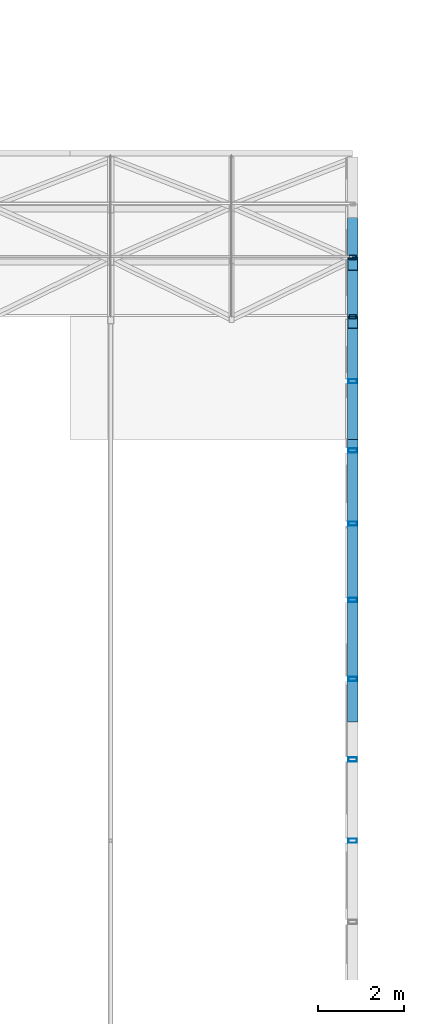
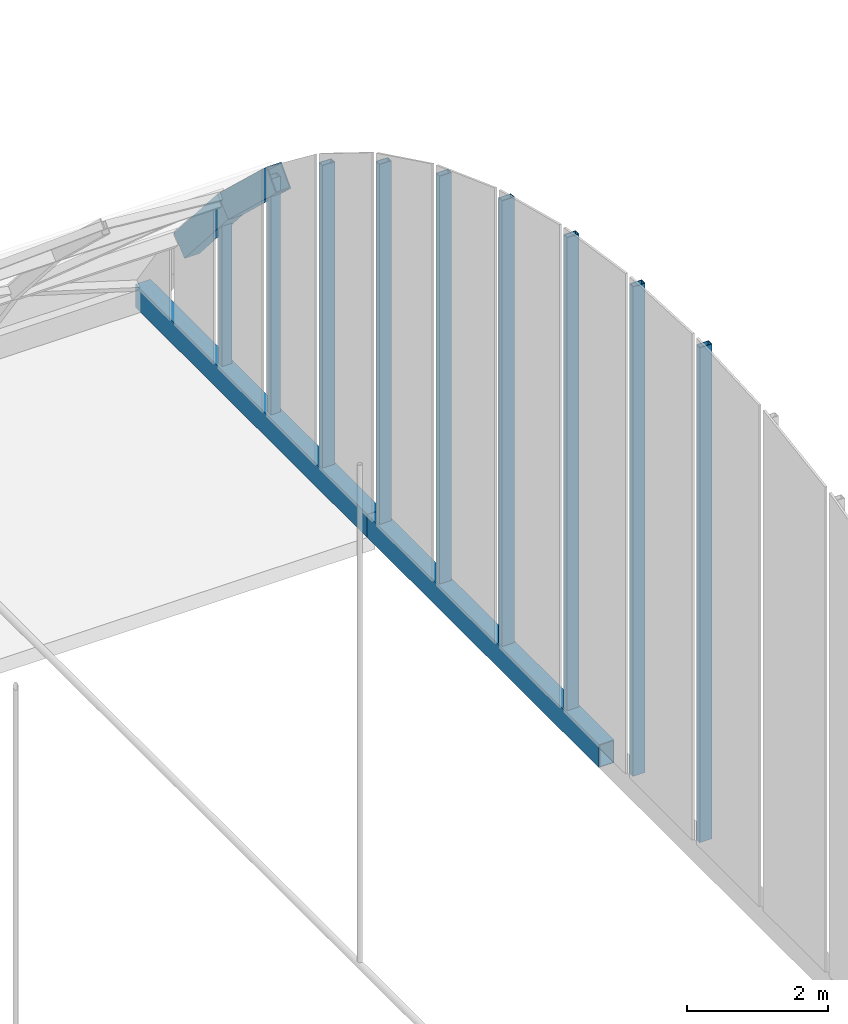
# One storey, part 36 of 109: 11 members, 2 beams.
"""IFC4 building model written with IfcOpenShell, lengths in metres."""

from ifc_helpers import new_model, si_unit, direction, frame, origin, origin_2d, place, context, subcontext, project, spatial, hollow_rectangle, extrude, material, material_profile, profile_set, type_object, element, save


model = new_model("IFC4")

# Units and contexts
model_context = context("Model", 3, precision=1e-05, world=origin(), true_north=direction((0.0, 1.0)))
body_context = subcontext(model_context, "Body", "Model", "MODEL_VIEW")
ifc_project = project(units=[si_unit("LENGTHUNIT", "METRE"), si_unit("AREAUNIT", "SQUARE_METRE"), si_unit("VOLUMEUNIT", "CUBIC_METRE"), si_unit("PLANEANGLEUNIT", "RADIAN"), si_unit("MASSUNIT", "GRAM", prefix="KILO")], contexts=[model_context])

# Site, building, storey
site_placement = place(None, origin())
site = spatial("IfcSite", under=ifc_project, at=site_placement, CompositionType="ELEMENT")
building_placement = place(site_placement, origin())
building = spatial("IfcBuilding", under=site, at=building_placement, Name="Lantern Court Research Institute", CompositionType="ELEMENT")
storey_placement = place(building_placement, frame((0.0, 0.0, 14.39990234375)))
storey = spatial("IfcBuildingStorey", under=building, at=storey_placement, Name="L03", CompositionType="ELEMENT", Elevation=14.39990234375)

# Members
ifc_material_1 = material(Name="Structural steel S355", Category="steel")
ifc_material_profile_1 = material_profile(ifc_material_1, hollow_rectangle(XDim=0.25, YDim=0.39990234375, WallThickness=0.01611328125, at=origin_2d()), Name="Gable arch RHS 400 x 250 x 16")
ifc_profile_set_1 = profile_set([ifc_material_profile_1], Name="Structural steel S355")
member_type_1 = type_object("IfcMemberType", Name="Gable arch RHS 400 x 250 x 16", PredefinedType="RAFTER", material=ifc_profile_set_1)
member_1_placement = place(storey_placement, frame((79.199951171875, 52.234375, 4.550048828125), z_axis=(0.0, 0.728151013069, -0.68541673613), x_axis=(-1.0, 0.0, 0.0)))
element("IfcMember", 1, at=member_1_placement, inside=storey, type_object=member_type_1, Name="Gable arch", PredefinedType="RAFTER", context=body_context, shape_type="SweptSolid", body=[
    extrude(hollow_rectangle(XDim=0.25, YDim=0.39990234375, WallThickness=0.01611328125, at=origin_2d()), origin(), (0.0, 0.0, 1.0), 1.90234375),
])
member_2_placement = place(storey_placement, frame((79.199951171875, 53.605712890625, 3.260498046875), z_axis=(0.0, 0.655492193344, -0.755201949458), x_axis=(-1.0, 0.0, 0.0)))
element("IfcMember", 2, at=member_2_placement, inside=storey, type_object=member_type_1, Name="Gable arch", PredefinedType="RAFTER", context=body_context, shape_type="SweptSolid", body=[
    extrude(hollow_rectangle(XDim=0.25, YDim=0.39990234375, WallThickness=0.01611328125, at=origin_2d()), origin(), (0.0, 0.0, 1.0), 1.902587890625),
])
ifc_material_2 = material(Name="Structural steel S355", Category="steel")
ifc_material_profile_2 = material_profile(ifc_material_2, hollow_rectangle(XDim=0.159912109375, YDim=0.10009765625, WallThickness=0.00634765625, at=origin_2d()), Name="Gable post RHS 160 x 100 x 6.3")
ifc_profile_set_2 = profile_set([ifc_material_profile_2], Name="Structural steel S355")
member_type_2 = type_object("IfcMemberType", Name="Gable post RHS 160 x 100 x 6.3", PredefinedType="POST", material=ifc_profile_set_2)
member_3_placement = place(storey_placement, frame((79.199951171875, 52.37158203125, 0.400146484375), z_axis=(0.0, 0.0, 1.0), x_axis=(1.0, 0.0, 0.0)))
element("IfcMember", 3, at=member_3_placement, inside=storey, type_object=member_type_2, Name="Gable post", PredefinedType="POST", context=body_context, shape_type="SweptSolid", body=[
    extrude(hollow_rectangle(XDim=0.159912109375, YDim=0.10009765625, WallThickness=0.00634765625, at=origin_2d()), origin(), (0.0, 0.0, 1.0), 4.095458984375),
])
member_4_placement = place(storey_placement, frame((79.199951171875, 53.756591796875, 0.400146484375), z_axis=(0.0, 0.0, 1.0), x_axis=(1.0, 0.0, 0.0)))
element("IfcMember", 4, at=member_4_placement, inside=storey, type_object=member_type_2, Name="Gable post", PredefinedType="POST", context=body_context, shape_type="SweptSolid", body=[
    extrude(hollow_rectangle(XDim=0.159912109375, YDim=0.10009765625, WallThickness=0.00634765625, at=origin_2d()), origin(), (0.0, 0.0, 1.0), 2.79150390625),
])
ifc_material_3 = material(Name="Structural steel S355", Category="steel")
ifc_material_profile_3 = material_profile(ifc_material_3, hollow_rectangle(XDim=0.199951171875, YDim=0.10009765625, WallThickness=0.008056640625, at=origin_2d()), Name="Gable post RHS 200 x 100 x 8")
ifc_profile_set_3 = profile_set([ifc_material_profile_3], Name="Structural steel S355")
member_type_3 = type_object("IfcMemberType", Name="Gable post RHS 200 x 100 x 8", PredefinedType="POST", material=ifc_profile_set_3)
member_5_placement = place(storey_placement, frame((79.199951171875, 40.125, 0.400146484375), z_axis=(0.0, 0.0, 1.0), x_axis=(1.0, 0.0, 0.0)))
element("IfcMember", 5, at=member_5_placement, inside=storey, type_object=member_type_3, Name="Gable post", PredefinedType="POST", context=body_context, shape_type="SweptSolid", body=[
    extrude(hollow_rectangle(XDim=0.199951171875, YDim=0.10009765625, WallThickness=0.008056640625, at=origin_2d()), origin(), (0.0, 0.0, 1.0), 8.599853515625),
])
member_6_placement = place(storey_placement, frame((79.199951171875, 42.025146484375, 0.400146484375), z_axis=(0.0, 0.0, 1.0), x_axis=(1.0, 0.0, 0.0)))
element("IfcMember", 6, at=member_6_placement, inside=storey, type_object=member_type_3, Name="Gable post", PredefinedType="POST", context=body_context, shape_type="SweptSolid", body=[
    extrude(hollow_rectangle(XDim=0.199951171875, YDim=0.10009765625, WallThickness=0.008056640625, at=origin_2d()), origin(), (0.0, 0.0, 1.0), 8.504150390625),
])
member_7_placement = place(storey_placement, frame((79.199951171875, 43.90576171875, 0.400146484375), z_axis=(0.0, 0.0, 1.0), x_axis=(1.0, 0.0, 0.0)))
element("IfcMember", 7, at=member_7_placement, inside=storey, type_object=member_type_3, Name="Gable post", PredefinedType="POST", context=body_context, shape_type="SweptSolid", body=[
    extrude(hollow_rectangle(XDim=0.199951171875, YDim=0.10009765625, WallThickness=0.008056640625, at=origin_2d()), origin(), (0.0, 0.0, 1.0), 8.218017578125),
])
member_8_placement = place(storey_placement, frame((79.199951171875, 45.748291015625, 0.400146484375), z_axis=(0.0, 0.0, 1.0), x_axis=(1.0, 0.0, 0.0)))
element("IfcMember", 8, at=member_8_placement, inside=storey, type_object=member_type_3, Name="Gable post", PredefinedType="POST", context=body_context, shape_type="SweptSolid", body=[
    extrude(hollow_rectangle(XDim=0.199951171875, YDim=0.10009765625, WallThickness=0.008056640625, at=origin_2d()), origin(), (0.0, 0.0, 1.0), 7.744140625),
])
member_9_placement = place(storey_placement, frame((79.199951171875, 47.53369140625, 0.400146484375), z_axis=(0.0, 0.0, 1.0), x_axis=(1.0, 0.0, 0.0)))
element("IfcMember", 9, at=member_9_placement, inside=storey, type_object=member_type_3, Name="Gable post", PredefinedType="POST", context=body_context, shape_type="SweptSolid", body=[
    extrude(hollow_rectangle(XDim=0.199951171875, YDim=0.10009765625, WallThickness=0.008056640625, at=origin_2d()), origin(), (0.0, 0.0, 1.0), 7.08740234375),
])
member_10_placement = place(storey_placement, frame((79.199951171875, 49.244140625, 0.400146484375), z_axis=(0.0, 0.0, 1.0), x_axis=(1.0, 0.0, 0.0)))
element("IfcMember", 10, at=member_10_placement, inside=storey, type_object=member_type_3, Name="Gable post", PredefinedType="POST", context=body_context, shape_type="SweptSolid", body=[
    extrude(hollow_rectangle(XDim=0.199951171875, YDim=0.10009765625, WallThickness=0.008056640625, at=origin_2d()), origin(), (0.0, 0.0, 1.0), 6.25439453125),
])
member_11_placement = place(storey_placement, frame((79.199951171875, 50.8623046875, 0.400146484375), z_axis=(0.0, 0.0, 1.0), x_axis=(1.0, 0.0, 0.0)))
element("IfcMember", 11, at=member_11_placement, inside=storey, type_object=member_type_3, Name="Gable post", PredefinedType="POST", context=body_context, shape_type="SweptSolid", body=[
    extrude(hollow_rectangle(XDim=0.199951171875, YDim=0.10009765625, WallThickness=0.008056640625, at=origin_2d()), origin(), (0.0, 0.0, 1.0), 5.253662109375),
])

# Beams
ifc_material_4 = material(Name="Structural steel S355", Category="steel")
ifc_material_profile_4 = material_profile(ifc_material_4, hollow_rectangle(XDim=0.25, YDim=0.39990234375, WallThickness=0.012451171875, at=origin_2d()), Name="Gable sill beam RHS 400 x 250 x 12.5")
ifc_profile_set_4 = profile_set([ifc_material_profile_4], Name="Structural steel S355")
beam_type = type_object("IfcBeamType", Name="Gable sill beam RHS 400 x 250 x 12.5", PredefinedType="BEAM", material=ifc_profile_set_4)
for number, where, z_axis, x_axis, name in (
    (12, (79.199951171875, 42.89990234375, 0.2001953125), (0.0, 1.0, 0.0), (-1.0, 0.0, 0.0), "Sill beam E"),
    (13, (79.199951171875, 49.5, 0.2001953125), (0.0, 1.0, 0.0), (-1.0, 0.0, 0.0), "Sill beam E"),
):
    element("IfcBeam", number, at=place(storey_placement, frame(where, z_axis=z_axis, x_axis=x_axis)), inside=storey, type_object=beam_type, Name=name, PredefinedType="BEAM", context=body_context, shape_type="SweptSolid", body=[
        extrude(hollow_rectangle(XDim=0.25, YDim=0.39990234375, WallThickness=0.012451171875, at=origin_2d()), origin(), (0.0, 0.0, 1.0), 6.60009765625),
    ])

save(model, "model.ifc")
